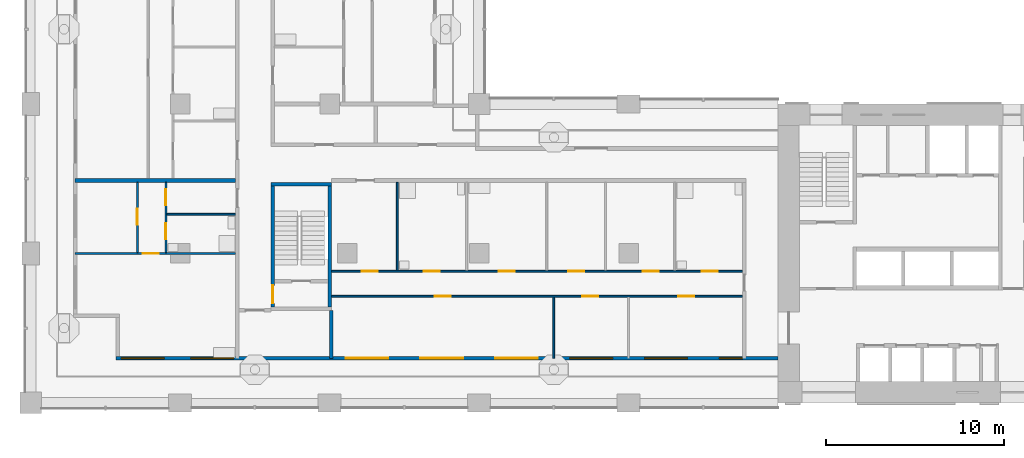
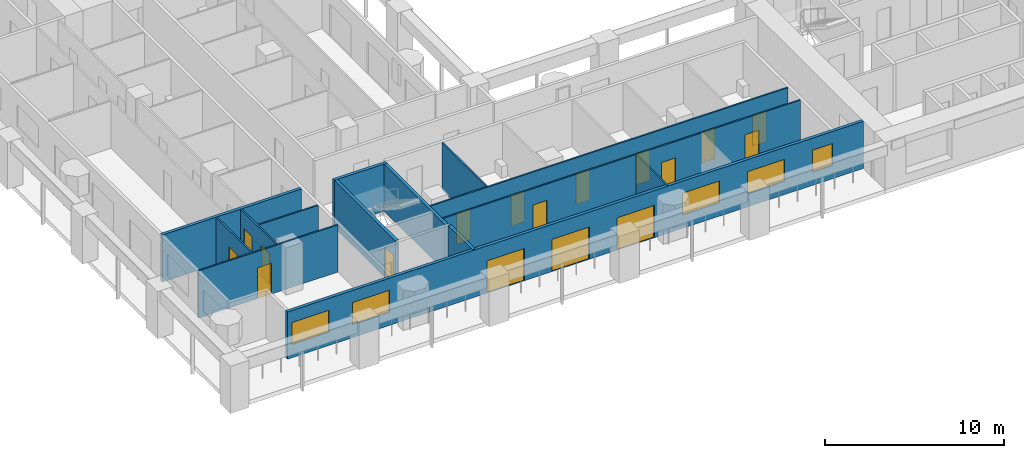
# One storey, part 2 of 18: 17 doors, 14 walls, 5 windows, 22 openings.
"""IFC4 building model written with IfcOpenShell, lengths in metres."""

from ifc_helpers import new_model, si_unit, direction, frame, frame_2d, origin, place, context, subcontext, project, spatial, rectangle, extrude, material, layer, layer_set, type_object, element, fill, save


model = new_model("IFC4")

# Units and contexts
model_context = context("Model", 3, precision=1e-05, world=origin(), true_north=direction((0.0, 1.0)))
body_context = subcontext(model_context, "Body", "Model", "MODEL_VIEW")
ifc_project = project(units=[si_unit("LENGTHUNIT", "METRE"), si_unit("AREAUNIT", "SQUARE_METRE"), si_unit("VOLUMEUNIT", "CUBIC_METRE"), si_unit("PLANEANGLEUNIT", "RADIAN"), si_unit("MASSUNIT", "GRAM", prefix="KILO")], contexts=[model_context])

# Site, building, storey
site_placement = place(None, origin())
site = spatial("IfcSite", under=ifc_project, at=site_placement, CompositionType="ELEMENT")
building_placement = place(site_placement, origin())
building = spatial("IfcBuilding", under=site, at=building_placement, Name="Vermilion Gate Residences", CompositionType="ELEMENT")
storey_placement = place(building_placement, frame((0.0, 0.0, 133.699951171875)))
storey = spatial("IfcBuildingStorey", under=building, at=storey_placement, Name="L34", CompositionType="ELEMENT", Elevation=133.699951171875)

# Wall, openings, doors, windows
ifc_material_1 = material(Name="Insulated steel stud wall with terracotta rainscreen", Category="masonry")
ifc_layer_1 = layer(ifc_material_1, 0.199951171875)
ifc_layer_set_1 = layer_set([ifc_layer_1], Name="EXTERNAL WALL 200 TERRACOTTA RAINSCREEN")
wall_type_1 = type_object("IfcWallType", Name="EXTERNAL WALL 200 TERRACOTTA RAINSCREEN", PredefinedType="SOLIDWALL", material=ifc_layer_set_1)
wall_1_placement = place(storey_placement, frame((4.800048828125, 10.89990234375, 0.0), z_axis=(0.0, 0.0, 1.0), x_axis=(1.0, 0.0, 0.0)))
wall_1 = element("IfcWall", 1, at=wall_1_placement, inside=storey, type_object=wall_type_1, Name="External wall", PredefinedType="SOLIDWALL", context=body_context, shape_type="SweptSolid", body=[
    extrude(rectangle(XDim=37.199951171875, YDim=0.199951171875, at=frame_2d((18.60009765625, 0.0))), origin(), (0.0, 0.0, 1.0), 3.219970703125),
])
opening_1_placement = place(wall_1_placement, frame((0.300048828125, 0.0, 0.89990234375)))
opening_1 = element("IfcOpeningElement", 2, at=opening_1_placement, cuts=wall_1, Name="Opening WE34012", PredefinedType="OPENING", context=body_context, shape_type="SweptSolid", body=[
    extrude(rectangle(XDim=2.39990234375, YDim=1.5, at=frame_2d((1.199951171875, 0.75))), frame((0.0, 0.10986328125, 0.0), z_axis=(0.0, -1.0, 0.0), x_axis=(1.0, 0.0, 0.0)), (0.0, 0.0, 1.0), 0.219970703125),
])
opening_2_placement = place(wall_1_placement, frame((4.199951171875, 0.0, 0.89990234375)))
opening_2 = element("IfcOpeningElement", 3, at=opening_2_placement, cuts=wall_1, Name="Opening WE34013", PredefinedType="OPENING", context=body_context, shape_type="SweptSolid", body=[
    extrude(rectangle(XDim=2.39990234375, YDim=1.5, at=frame_2d((1.199951171875, 0.75))), frame((0.0, 0.10986328125, 0.0), z_axis=(0.0, -1.0, 0.0), x_axis=(1.0, 0.0, 0.0)), (0.0, 0.0, 1.0), 0.219970703125),
])
opening_3_placement = place(wall_1_placement, frame((12.89990234375, 0.0, 0.0)))
opening_3 = element("IfcOpeningElement", 4, at=opening_3_placement, cuts=wall_1, Name="Opening DE34014", PredefinedType="OPENING", context=body_context, shape_type="SweptSolid", body=[
    extrude(rectangle(XDim=2.39990234375, YDim=2.199951171875, at=frame_2d((1.199951171875, 1.10009765625))), frame((0.0, 0.10986328125, 0.0), z_axis=(0.0, -1.0, 0.0), x_axis=(1.0, 0.0, 0.0)), (0.0, 0.0, 1.0), 0.219970703125),
])
opening_4_placement = place(wall_1_placement, frame((17.10009765625, 0.0, 0.0)))
opening_4 = element("IfcOpeningElement", 5, at=opening_4_placement, cuts=wall_1, Name="Opening DE34015", PredefinedType="OPENING", context=body_context, shape_type="SweptSolid", body=[
    extrude(rectangle(XDim=2.39990234375, YDim=2.199951171875, at=frame_2d((1.199951171875, 1.10009765625))), frame((0.0, 0.10986328125, 0.0), z_axis=(0.0, -1.0, 0.0), x_axis=(1.0, 0.0, 0.0)), (0.0, 0.0, 1.0), 0.219970703125),
])
opening_5_placement = place(wall_1_placement, frame((21.300048828125, 0.0, 0.0)))
opening_5 = element("IfcOpeningElement", 6, at=opening_5_placement, cuts=wall_1, Name="Opening DE34016", PredefinedType="OPENING", context=body_context, shape_type="SweptSolid", body=[
    extrude(rectangle(XDim=2.39990234375, YDim=2.199951171875, at=frame_2d((1.199951171875, 1.10009765625))), frame((0.0, 0.10986328125, 0.0), z_axis=(0.0, -1.0, 0.0), x_axis=(1.0, 0.0, 0.0)), (0.0, 0.0, 1.0), 0.219970703125),
])
opening_6_placement = place(wall_1_placement, frame((25.5, 0.0, 0.89990234375)))
opening_6 = element("IfcOpeningElement", 7, at=opening_6_placement, cuts=wall_1, Name="Opening WE34017", PredefinedType="OPENING", context=body_context, shape_type="SweptSolid", body=[
    extrude(rectangle(XDim=2.39990234375, YDim=1.5, at=frame_2d((1.199951171875, 0.75))), frame((0.0, 0.10986328125, 0.0), z_axis=(0.0, -1.0, 0.0), x_axis=(1.0, 0.0, 0.0)), (0.0, 0.0, 1.0), 0.219970703125),
])
opening_7_placement = place(wall_1_placement, frame((29.699951171875, 0.0, 0.89990234375)))
opening_7 = element("IfcOpeningElement", 8, at=opening_7_placement, cuts=wall_1, Name="Opening WE34018", PredefinedType="OPENING", context=body_context, shape_type="SweptSolid", body=[
    extrude(rectangle(XDim=2.39990234375, YDim=1.5, at=frame_2d((1.199951171875, 0.75))), frame((0.0, 0.10986328125, 0.0), z_axis=(0.0, -1.0, 0.0), x_axis=(1.0, 0.0, 0.0)), (0.0, 0.0, 1.0), 0.219970703125),
])
opening_8_placement = place(wall_1_placement, frame((33.89990234375, 0.0, 0.89990234375)))
opening_8 = element("IfcOpeningElement", 9, at=opening_8_placement, cuts=wall_1, Name="Opening WE34019", PredefinedType="OPENING", context=body_context, shape_type="SweptSolid", body=[
    extrude(rectangle(XDim=1.300048828125, YDim=1.5, at=frame_2d((0.64990234375, 0.75))), frame((0.0, 0.10986328125, 0.0), z_axis=(0.0, -1.0, 0.0), x_axis=(1.0, 0.0, 0.0)), (0.0, 0.0, 1.0), 0.219970703125),
])
ifc_material_2 = material(Name="Aluminium and clear glass", Category="aluminium")
door_type_1 = type_object("IfcDoorType", Name="SLIDING GLAZED DOOR 2400 X 2200", OperationType="DOUBLE_DOOR_SLIDING", PredefinedType="DOOR", material=ifc_material_2)
door_1_placement = place(opening_3_placement, origin())
door_1 = element("IfcDoor", 10, at=door_1_placement, inside=storey, type_object=door_type_1, Name="Loggia sliding door", OperationType="DOUBLE_DOOR_SLIDING", OverallHeight=2.199951171875, OverallWidth=2.39990234375, PredefinedType="DOOR", context=body_context, shape_type="SweptSolid", body=[
    extrude(rectangle(XDim=2.39990234375, YDim=2.199951171875, at=frame_2d((1.199951171875, 1.10009765625))), frame((0.0, 0.02490234375, 0.0), z_axis=(0.0, -1.0, 0.0), x_axis=(1.0, 0.0, 0.0)), (0.0, 0.0, 1.0), 0.050048828125),
])
fill(opening_3, door_1)
door_2_placement = place(opening_4_placement, origin())
door_2 = element("IfcDoor", 11, at=door_2_placement, inside=storey, type_object=door_type_1, Name="Loggia sliding door", OperationType="DOUBLE_DOOR_SLIDING", OverallHeight=2.199951171875, OverallWidth=2.39990234375, PredefinedType="DOOR", context=body_context, shape_type="SweptSolid", body=[
    extrude(rectangle(XDim=2.39990234375, YDim=2.199951171875, at=frame_2d((1.199951171875, 1.10009765625))), frame((0.0, 0.02490234375, 0.0), z_axis=(0.0, -1.0, 0.0), x_axis=(1.0, 0.0, 0.0)), (0.0, 0.0, 1.0), 0.050048828125),
])
fill(opening_4, door_2)
door_3_placement = place(opening_5_placement, origin())
door_3 = element("IfcDoor", 12, at=door_3_placement, inside=storey, type_object=door_type_1, Name="Loggia sliding door", OperationType="DOUBLE_DOOR_SLIDING", OverallHeight=2.199951171875, OverallWidth=2.39990234375, PredefinedType="DOOR", context=body_context, shape_type="SweptSolid", body=[
    extrude(rectangle(XDim=2.39990234375, YDim=2.199951171875, at=frame_2d((1.199951171875, 1.10009765625))), frame((0.0, 0.02490234375, 0.0), z_axis=(0.0, -1.0, 0.0), x_axis=(1.0, 0.0, 0.0)), (0.0, 0.0, 1.0), 0.050048828125),
])
fill(opening_5, door_3)
ifc_material_3 = material(Name="Aluminium and clear glass", Category="aluminium")
window_type_1 = type_object("IfcWindowType", Name="WINDOW 1300 X 1500", PartitioningType="SINGLE_PANEL", PredefinedType="WINDOW", material=ifc_material_3)
window_1_placement = place(opening_8_placement, origin())
window_1 = element("IfcWindow", 13, at=window_1_placement, inside=storey, type_object=window_type_1, Name="Window", OverallHeight=1.5, OverallWidth=1.300048828125, PartitioningType="SINGLE_PANEL", PredefinedType="WINDOW", context=body_context, shape_type="SweptSolid", body=[
    extrude(rectangle(XDim=1.300048828125, YDim=1.5, at=frame_2d((0.64990234375, 0.75))), frame((0.0, 0.030029296875, 0.0), z_axis=(0.0, -1.0, 0.0), x_axis=(1.0, 0.0, 0.0)), (0.0, 0.0, 1.0), 0.06005859375),
])
fill(opening_8, window_1)
ifc_material_4 = material(Name="Aluminium and clear glass", Category="aluminium")
window_type_2 = type_object("IfcWindowType", Name="WINDOW 2400 X 1500", PartitioningType="SINGLE_PANEL", PredefinedType="WINDOW", material=ifc_material_4)
window_2_placement = place(opening_1_placement, origin())
window_2 = element("IfcWindow", 14, at=window_2_placement, inside=storey, type_object=window_type_2, Name="Window", OverallHeight=1.5, OverallWidth=2.39990234375, PartitioningType="SINGLE_PANEL", PredefinedType="WINDOW", context=body_context, shape_type="SweptSolid", body=[
    extrude(rectangle(XDim=2.39990234375, YDim=1.5, at=frame_2d((1.199951171875, 0.75))), frame((0.0, 0.030029296875, 0.0), z_axis=(0.0, -1.0, 0.0), x_axis=(1.0, 0.0, 0.0)), (0.0, 0.0, 1.0), 0.06005859375),
])
fill(opening_1, window_2)
window_3_placement = place(opening_2_placement, origin())
window_3 = element("IfcWindow", 15, at=window_3_placement, inside=storey, type_object=window_type_2, Name="Window", OverallHeight=1.5, OverallWidth=2.39990234375, PartitioningType="SINGLE_PANEL", PredefinedType="WINDOW", context=body_context, shape_type="SweptSolid", body=[
    extrude(rectangle(XDim=2.39990234375, YDim=1.5, at=frame_2d((1.199951171875, 0.75))), frame((0.0, 0.030029296875, 0.0), z_axis=(0.0, -1.0, 0.0), x_axis=(1.0, 0.0, 0.0)), (0.0, 0.0, 1.0), 0.06005859375),
])
fill(opening_2, window_3)
window_4_placement = place(opening_6_placement, origin())
window_4 = element("IfcWindow", 16, at=window_4_placement, inside=storey, type_object=window_type_2, Name="Window", OverallHeight=1.5, OverallWidth=2.39990234375, PartitioningType="SINGLE_PANEL", PredefinedType="WINDOW", context=body_context, shape_type="SweptSolid", body=[
    extrude(rectangle(XDim=2.39990234375, YDim=1.5, at=frame_2d((1.199951171875, 0.75))), frame((0.0, 0.030029296875, 0.0), z_axis=(0.0, -1.0, 0.0), x_axis=(1.0, 0.0, 0.0)), (0.0, 0.0, 1.0), 0.06005859375),
])
fill(opening_6, window_4)
window_5_placement = place(opening_7_placement, origin())
window_5 = element("IfcWindow", 17, at=window_5_placement, inside=storey, type_object=window_type_2, Name="Window", OverallHeight=1.5, OverallWidth=2.39990234375, PartitioningType="SINGLE_PANEL", PredefinedType="WINDOW", context=body_context, shape_type="SweptSolid", body=[
    extrude(rectangle(XDim=2.39990234375, YDim=1.5, at=frame_2d((1.199951171875, 0.75))), frame((0.0, 0.030029296875, 0.0), z_axis=(0.0, -1.0, 0.0), x_axis=(1.0, 0.0, 0.0)), (0.0, 0.0, 1.0), 0.06005859375),
])
fill(opening_7, window_5)

# Wall, openings, doors
ifc_material_5 = material(Name="Plasterboard on steel studs", Category="steel")
ifc_layer_2 = layer(ifc_material_5, 0.10009765625)
ifc_layer_set_2 = layer_set([ifc_layer_2], Name="PARTITION 100")
wall_type_2 = type_object("IfcWallType", Name="PARTITION 100", PredefinedType="PARTITIONING", material=ifc_layer_set_2)
wall_2_placement = place(storey_placement, frame((16.89990234375, 14.39990234375, 0.0), z_axis=(0.0, 0.0, 1.0), x_axis=(1.0, 0.0, 0.0)))
wall_2 = element("IfcWall", 18, at=wall_2_placement, inside=storey, type_object=wall_type_2, Name="Partition", PredefinedType="PARTITIONING", context=body_context, shape_type="SweptSolid", body=[
    extrude(rectangle(XDim=23.10009765625, YDim=0.10009765625, at=frame_2d((11.550048828125, 0.0))), origin(), (0.0, 0.0, 1.0), 3.219970703125),
])
opening_9_placement = place(wall_2_placement, frame((5.800048828125, 0.0, 0.0)))
opening_9 = element("IfcOpeningElement", 19, at=opening_9_placement, cuts=wall_2, Name="Opening DA34002", PredefinedType="OPENING", context=body_context, shape_type="SweptSolid", body=[
    extrude(rectangle(XDim=0.89990234375, YDim=2.10009765625, at=frame_2d((0.449951171875, 1.050048828125))), frame((0.0, 0.06005859375, 0.0), z_axis=(0.0, -1.0, 0.0), x_axis=(1.0, 0.0, 0.0)), (0.0, 0.0, 1.0), 0.1201171875),
])
opening_10_placement = place(wall_2_placement, frame((14.10009765625, 0.0, 0.0)))
opening_10 = element("IfcOpeningElement", 20, at=opening_10_placement, cuts=wall_2, Name="Opening DA34003", PredefinedType="OPENING", context=body_context, shape_type="SweptSolid", body=[
    extrude(rectangle(XDim=0.89990234375, YDim=2.10009765625, at=frame_2d((0.449951171875, 1.050048828125))), frame((0.0, 0.06005859375, 0.0), z_axis=(0.0, -1.0, 0.0), x_axis=(1.0, 0.0, 0.0)), (0.0, 0.0, 1.0), 0.1201171875),
])
opening_11_placement = place(wall_2_placement, frame((19.5, 0.0, 0.0)))
opening_11 = element("IfcOpeningElement", 21, at=opening_11_placement, cuts=wall_2, Name="Opening DA34004", PredefinedType="OPENING", context=body_context, shape_type="SweptSolid", body=[
    extrude(rectangle(XDim=0.89990234375, YDim=2.10009765625, at=frame_2d((0.449951171875, 1.050048828125))), frame((0.0, 0.06005859375, 0.0), z_axis=(0.0, -1.0, 0.0), x_axis=(1.0, 0.0, 0.0)), (0.0, 0.0, 1.0), 0.1201171875),
])
ifc_material_6 = material(Name="Timber", Category="wood")
door_type_2 = type_object("IfcDoorType", Name="INTERIOR DOOR 900 X 2100", OperationType="SINGLE_SWING_LEFT", PredefinedType="DOOR", material=ifc_material_6)
door_4_placement = place(opening_9_placement, frame((0.89990234375, 0.0, 0.0), z_axis=(0.0, 0.0, 1.0), x_axis=(-1.0, 0.0, 0.0)))
door_4 = element("IfcDoor", 22, at=door_4_placement, inside=storey, type_object=door_type_2, Name="Interior door", OperationType="SINGLE_SWING_RIGHT", OverallHeight=2.10009765625, OverallWidth=0.89990234375, PredefinedType="DOOR", context=body_context, shape_type="SweptSolid", body=[
    extrude(rectangle(XDim=0.89990234375, YDim=2.10009765625, at=frame_2d((0.449951171875, 1.050048828125))), frame((0.0, 0.02490234375, 0.0), z_axis=(0.0, -1.0, 0.0), x_axis=(1.0, 0.0, 0.0)), (0.0, 0.0, 1.0), 0.050048828125),
])
fill(opening_9, door_4)
door_5_placement = place(opening_10_placement, frame((0.89990234375, 0.0, 0.0), z_axis=(0.0, 0.0, 1.0), x_axis=(-1.0, 0.0, 0.0)))
door_5 = element("IfcDoor", 23, at=door_5_placement, inside=storey, type_object=door_type_2, Name="Interior door", OperationType="SINGLE_SWING_RIGHT", OverallHeight=2.10009765625, OverallWidth=0.89990234375, PredefinedType="DOOR", context=body_context, shape_type="SweptSolid", body=[
    extrude(rectangle(XDim=0.89990234375, YDim=2.10009765625, at=frame_2d((0.449951171875, 1.050048828125))), frame((0.0, 0.02490234375, 0.0), z_axis=(0.0, -1.0, 0.0), x_axis=(1.0, 0.0, 0.0)), (0.0, 0.0, 1.0), 0.050048828125),
])
fill(opening_10, door_5)
door_6_placement = place(opening_11_placement, frame((0.89990234375, 0.0, 0.0), z_axis=(0.0, 0.0, 1.0), x_axis=(-1.0, 0.0, 0.0)))
door_6 = element("IfcDoor", 24, at=door_6_placement, inside=storey, type_object=door_type_2, Name="Interior door", OperationType="SINGLE_SWING_LEFT", OverallHeight=2.10009765625, OverallWidth=0.89990234375, PredefinedType="DOOR", context=body_context, shape_type="SweptSolid", body=[
    extrude(rectangle(XDim=0.89990234375, YDim=2.10009765625, at=frame_2d((0.449951171875, 1.050048828125))), frame((0.0, 0.02490234375, 0.0), z_axis=(0.0, -1.0, 0.0), x_axis=(1.0, 0.0, 0.0)), (0.0, 0.0, 1.0), 0.050048828125),
])
fill(opening_11, door_6)

wall_3_placement = place(storey_placement, frame((16.89990234375, 15.800048828125, 0.0), z_axis=(0.0, 0.0, 1.0), x_axis=(1.0, 0.0, 0.0)))
wall_3 = element("IfcWall", 25, at=wall_3_placement, inside=storey, type_object=wall_type_2, Name="Partition", PredefinedType="PARTITIONING", context=body_context, shape_type="SweptSolid", body=[
    extrude(rectangle(XDim=23.10009765625, YDim=0.10009765625, at=frame_2d((11.550048828125, 0.0))), origin(), (0.0, 0.0, 1.0), 3.219970703125),
])
opening_12_placement = place(wall_3_placement, frame((1.699951171875, 0.0, 0.0)))
opening_12 = element("IfcOpeningElement", 26, at=opening_12_placement, cuts=wall_3, Name="Opening DA34005", PredefinedType="OPENING", context=body_context, shape_type="SweptSolid", body=[
    extrude(rectangle(XDim=0.89990234375, YDim=2.10009765625, at=frame_2d((0.449951171875, 1.050048828125))), frame((0.0, 0.06005859375, 0.0), z_axis=(0.0, -1.0, 0.0), x_axis=(1.0, 0.0, 0.0)), (0.0, 0.0, 1.0), 0.1201171875),
])
opening_13_placement = place(wall_3_placement, frame((5.199951171875, 0.0, 0.0)))
opening_13 = element("IfcOpeningElement", 27, at=opening_13_placement, cuts=wall_3, Name="Opening DA34006", PredefinedType="OPENING", context=body_context, shape_type="SweptSolid", body=[
    extrude(rectangle(XDim=0.89990234375, YDim=2.10009765625, at=frame_2d((0.449951171875, 1.050048828125))), frame((0.0, 0.06005859375, 0.0), z_axis=(0.0, -1.0, 0.0), x_axis=(1.0, 0.0, 0.0)), (0.0, 0.0, 1.0), 0.1201171875),
])
opening_14_placement = place(wall_3_placement, frame((9.39990234375, 0.0, 0.0)))
opening_14 = element("IfcOpeningElement", 28, at=opening_14_placement, cuts=wall_3, Name="Opening DA34007", PredefinedType="OPENING", context=body_context, shape_type="SweptSolid", body=[
    extrude(rectangle(XDim=0.89990234375, YDim=2.10009765625, at=frame_2d((0.449951171875, 1.050048828125))), frame((0.0, 0.06005859375, 0.0), z_axis=(0.0, -1.0, 0.0), x_axis=(1.0, 0.0, 0.0)), (0.0, 0.0, 1.0), 0.1201171875),
])
opening_15_placement = place(wall_3_placement, frame((13.300048828125, 0.0, 0.0)))
opening_15 = element("IfcOpeningElement", 29, at=opening_15_placement, cuts=wall_3, Name="Opening DA34008", PredefinedType="OPENING", context=body_context, shape_type="SweptSolid", body=[
    extrude(rectangle(XDim=0.89990234375, YDim=2.10009765625, at=frame_2d((0.449951171875, 1.050048828125))), frame((0.0, 0.06005859375, 0.0), z_axis=(0.0, -1.0, 0.0), x_axis=(1.0, 0.0, 0.0)), (0.0, 0.0, 1.0), 0.1201171875),
])
opening_16_placement = place(wall_3_placement, frame((17.5, 0.0, 0.0)))
opening_16 = element("IfcOpeningElement", 30, at=opening_16_placement, cuts=wall_3, Name="Opening DA34009", PredefinedType="OPENING", context=body_context, shape_type="SweptSolid", body=[
    extrude(rectangle(XDim=0.89990234375, YDim=2.10009765625, at=frame_2d((0.449951171875, 1.050048828125))), frame((0.0, 0.06005859375, 0.0), z_axis=(0.0, -1.0, 0.0), x_axis=(1.0, 0.0, 0.0)), (0.0, 0.0, 1.0), 0.1201171875),
])
opening_17_placement = place(wall_3_placement, frame((20.800048828125, 0.0, 0.0)))
opening_17 = element("IfcOpeningElement", 31, at=opening_17_placement, cuts=wall_3, Name="Opening DA34010", PredefinedType="OPENING", context=body_context, shape_type="SweptSolid", body=[
    extrude(rectangle(XDim=0.89990234375, YDim=2.10009765625, at=frame_2d((0.449951171875, 1.050048828125))), frame((0.0, 0.06005859375, 0.0), z_axis=(0.0, -1.0, 0.0), x_axis=(1.0, 0.0, 0.0)), (0.0, 0.0, 1.0), 0.1201171875),
])
door_7_placement = place(opening_12_placement, origin())
door_7 = element("IfcDoor", 32, at=door_7_placement, inside=storey, type_object=door_type_2, Name="Interior door", OperationType="SINGLE_SWING_RIGHT", OverallHeight=2.10009765625, OverallWidth=0.89990234375, PredefinedType="DOOR", context=body_context, shape_type="SweptSolid", body=[
    extrude(rectangle(XDim=0.89990234375, YDim=2.10009765625, at=frame_2d((0.449951171875, 1.050048828125))), frame((0.0, 0.02490234375, 0.0), z_axis=(0.0, -1.0, 0.0), x_axis=(1.0, 0.0, 0.0)), (0.0, 0.0, 1.0), 0.050048828125),
])
fill(opening_12, door_7)
door_8_placement = place(opening_13_placement, origin())
door_8 = element("IfcDoor", 33, at=door_8_placement, inside=storey, type_object=door_type_2, Name="Interior door", OperationType="SINGLE_SWING_LEFT", OverallHeight=2.10009765625, OverallWidth=0.89990234375, PredefinedType="DOOR", context=body_context, shape_type="SweptSolid", body=[
    extrude(rectangle(XDim=0.89990234375, YDim=2.10009765625, at=frame_2d((0.449951171875, 1.050048828125))), frame((0.0, 0.02490234375, 0.0), z_axis=(0.0, -1.0, 0.0), x_axis=(1.0, 0.0, 0.0)), (0.0, 0.0, 1.0), 0.050048828125),
])
fill(opening_13, door_8)
door_9_placement = place(opening_14_placement, origin())
door_9 = element("IfcDoor", 34, at=door_9_placement, inside=storey, type_object=door_type_2, Name="Interior door", OperationType="SINGLE_SWING_LEFT", OverallHeight=2.10009765625, OverallWidth=0.89990234375, PredefinedType="DOOR", context=body_context, shape_type="SweptSolid", body=[
    extrude(rectangle(XDim=0.89990234375, YDim=2.10009765625, at=frame_2d((0.449951171875, 1.050048828125))), frame((0.0, 0.02490234375, 0.0), z_axis=(0.0, -1.0, 0.0), x_axis=(1.0, 0.0, 0.0)), (0.0, 0.0, 1.0), 0.050048828125),
])
fill(opening_14, door_9)
door_10_placement = place(opening_15_placement, origin())
door_10 = element("IfcDoor", 35, at=door_10_placement, inside=storey, type_object=door_type_2, Name="Interior door", OperationType="SINGLE_SWING_LEFT", OverallHeight=2.10009765625, OverallWidth=0.89990234375, PredefinedType="DOOR", context=body_context, shape_type="SweptSolid", body=[
    extrude(rectangle(XDim=0.89990234375, YDim=2.10009765625, at=frame_2d((0.449951171875, 1.050048828125))), frame((0.0, 0.02490234375, 0.0), z_axis=(0.0, -1.0, 0.0), x_axis=(1.0, 0.0, 0.0)), (0.0, 0.0, 1.0), 0.050048828125),
])
fill(opening_15, door_10)
door_11_placement = place(opening_16_placement, origin())
door_11 = element("IfcDoor", 36, at=door_11_placement, inside=storey, type_object=door_type_2, Name="Interior door", OperationType="SINGLE_SWING_RIGHT", OverallHeight=2.10009765625, OverallWidth=0.89990234375, PredefinedType="DOOR", context=body_context, shape_type="SweptSolid", body=[
    extrude(rectangle(XDim=0.89990234375, YDim=2.10009765625, at=frame_2d((0.449951171875, 1.050048828125))), frame((0.0, 0.02490234375, 0.0), z_axis=(0.0, -1.0, 0.0), x_axis=(1.0, 0.0, 0.0)), (0.0, 0.0, 1.0), 0.050048828125),
])
fill(opening_16, door_11)
door_12_placement = place(opening_17_placement, origin())
door_12 = element("IfcDoor", 37, at=door_12_placement, inside=storey, type_object=door_type_2, Name="Interior door", OperationType="SINGLE_SWING_LEFT", OverallHeight=2.10009765625, OverallWidth=0.89990234375, PredefinedType="DOOR", context=body_context, shape_type="SweptSolid", body=[
    extrude(rectangle(XDim=0.89990234375, YDim=2.10009765625, at=frame_2d((0.449951171875, 1.050048828125))), frame((0.0, 0.02490234375, 0.0), z_axis=(0.0, -1.0, 0.0), x_axis=(1.0, 0.0, 0.0)), (0.0, 0.0, 1.0), 0.050048828125),
])
fill(opening_17, door_12)

# Wall, opening, door
wall_4_placement = place(storey_placement, frame((2.5, 16.800048828125, 0.0), z_axis=(0.0, 0.0, 1.0), x_axis=(1.0, 0.0, 0.0)))
wall_4 = element("IfcWall", 38, at=wall_4_placement, inside=storey, type_object=wall_type_2, Name="Partition", PredefinedType="PARTITIONING", context=body_context, shape_type="SweptSolid", body=[
    extrude(rectangle(XDim=9.0, YDim=0.10009765625, at=frame_2d((4.5, 0.0))), origin(), (0.0, 0.0, 1.0), 3.219970703125),
])
opening_18_placement = place(wall_4_placement, frame((3.800048828125, 0.0, 0.0)))
opening_18 = element("IfcOpeningElement", 39, at=opening_18_placement, cuts=wall_4, Name="Opening DA34011", PredefinedType="OPENING", context=body_context, shape_type="SweptSolid", body=[
    extrude(rectangle(XDim=0.89990234375, YDim=2.10009765625, at=frame_2d((0.449951171875, 1.050048828125))), frame((0.0, 0.06005859375, 0.0), z_axis=(0.0, -1.0, 0.0), x_axis=(1.0, 0.0, 0.0)), (0.0, 0.0, 1.0), 0.1201171875),
])
door_13_placement = place(opening_18_placement, frame((0.89990234375, 0.0, 0.0), z_axis=(0.0, 0.0, 1.0), x_axis=(-1.0, 0.0, 0.0)))
door_13 = element("IfcDoor", 40, at=door_13_placement, inside=storey, type_object=door_type_2, Name="Interior door", OperationType="SINGLE_SWING_LEFT", OverallHeight=2.10009765625, OverallWidth=0.89990234375, PredefinedType="DOOR", context=body_context, shape_type="SweptSolid", body=[
    extrude(rectangle(XDim=0.89990234375, YDim=2.10009765625, at=frame_2d((0.449951171875, 1.050048828125))), frame((0.0, 0.02490234375, 0.0), z_axis=(0.0, -1.0, 0.0), x_axis=(1.0, 0.0, 0.0)), (0.0, 0.0, 1.0), 0.050048828125),
])
fill(opening_18, door_13)

# Wall
wall_5_placement = place(storey_placement, frame((7.64990234375, 19.0, 0.0), z_axis=(0.0, 0.0, 1.0), x_axis=(1.0, 0.0, 0.0)))
element("IfcWall", 41, at=wall_5_placement, inside=storey, type_object=wall_type_2, Name="Partition", PredefinedType="PARTITIONING", context=body_context, shape_type="SweptSolid", body=[
    extrude(rectangle(XDim=3.85009765625, YDim=0.10009765625, at=frame_2d((1.925048828125, 0.0))), origin(), (0.0, 0.0, 1.0), 3.219970703125),
])

# Wall, opening, door
wall_6_placement = place(storey_placement, frame((6.0, 16.85009765625, 0.0), z_axis=(0.0, 0.0, 1.0), x_axis=(0.0, 1.0, 0.0)))
wall_6 = element("IfcWall", 42, at=wall_6_placement, inside=storey, type_object=wall_type_2, Name="Partition", PredefinedType="PARTITIONING", context=body_context, shape_type="SweptSolid", body=[
    extrude(rectangle(XDim=3.949951171875, YDim=0.10009765625, at=frame_2d((1.97509765625, 0.0))), origin(), (0.0, 0.0, 1.0), 3.219970703125),
])
opening_19_placement = place(wall_6_placement, frame((1.550048828125, 0.0, 0.0)))
opening_19 = element("IfcOpeningElement", 43, at=opening_19_placement, cuts=wall_6, Name="Opening DA34015", PredefinedType="OPENING", context=body_context, shape_type="SweptSolid", body=[
    extrude(rectangle(XDim=0.89990234375, YDim=2.10009765625, at=frame_2d((0.449951171875, 1.050048828125))), frame((0.0, 0.06005859375, 0.0), z_axis=(0.0, -1.0, 0.0), x_axis=(1.0, 0.0, 0.0)), (0.0, 0.0, 1.0), 0.1201171875),
])
door_14_placement = place(opening_19_placement, origin())
door_14 = element("IfcDoor", 44, at=door_14_placement, inside=storey, type_object=door_type_2, Name="Interior door", OperationType="SINGLE_SWING_RIGHT", OverallHeight=2.10009765625, OverallWidth=0.89990234375, PredefinedType="DOOR", context=body_context, shape_type="SweptSolid", body=[
    extrude(rectangle(XDim=0.89990234375, YDim=2.10009765625, at=frame_2d((0.449951171875, 1.050048828125))), frame((0.0, 0.02490234375, 0.0), z_axis=(0.0, -1.0, 0.0), x_axis=(1.0, 0.0, 0.0)), (0.0, 0.0, 1.0), 0.050048828125),
])
fill(opening_19, door_14)

# Wall, openings, doors
wall_7_placement = place(storey_placement, frame((7.60009765625, 16.85009765625, 0.0), z_axis=(0.0, 0.0, 1.0), x_axis=(0.0, 1.0, 0.0)))
wall_7 = element("IfcWall", 45, at=wall_7_placement, inside=storey, type_object=wall_type_2, Name="Partition", PredefinedType="PARTITIONING", context=body_context, shape_type="SweptSolid", body=[
    extrude(rectangle(XDim=3.949951171875, YDim=0.10009765625, at=frame_2d((1.97509765625, 0.0))), origin(), (0.0, 0.0, 1.0), 3.219970703125),
])
opening_20_placement = place(wall_7_placement, frame((2.64990234375, 0.0, 0.0)))
opening_20 = element("IfcOpeningElement", 46, at=opening_20_placement, cuts=wall_7, Name="Opening DA34022", PredefinedType="OPENING", context=body_context, shape_type="SweptSolid", body=[
    extrude(rectangle(XDim=0.89990234375, YDim=2.10009765625, at=frame_2d((0.449951171875, 1.050048828125))), frame((0.0, 0.06005859375, 0.0), z_axis=(0.0, -1.0, 0.0), x_axis=(1.0, 0.0, 0.0)), (0.0, 0.0, 1.0), 0.1201171875),
])
opening_21_placement = place(wall_7_placement, frame((0.75, 0.0, 0.0)))
opening_21 = element("IfcOpeningElement", 47, at=opening_21_placement, cuts=wall_7, Name="Opening DA34023", PredefinedType="OPENING", context=body_context, shape_type="SweptSolid", body=[
    extrude(rectangle(XDim=0.89990234375, YDim=2.10009765625, at=frame_2d((0.449951171875, 1.050048828125))), frame((0.0, 0.06005859375, 0.0), z_axis=(0.0, -1.0, 0.0), x_axis=(1.0, 0.0, 0.0)), (0.0, 0.0, 1.0), 0.1201171875),
])
door_15_placement = place(opening_20_placement, origin())
door_15 = element("IfcDoor", 48, at=door_15_placement, inside=storey, type_object=door_type_2, Name="Interior door", OperationType="SINGLE_SWING_RIGHT", OverallHeight=2.10009765625, OverallWidth=0.89990234375, PredefinedType="DOOR", context=body_context, shape_type="SweptSolid", body=[
    extrude(rectangle(XDim=0.89990234375, YDim=2.10009765625, at=frame_2d((0.449951171875, 1.050048828125))), frame((0.0, 0.02490234375, 0.0), z_axis=(0.0, -1.0, 0.0), x_axis=(1.0, 0.0, 0.0)), (0.0, 0.0, 1.0), 0.050048828125),
])
fill(opening_20, door_15)
door_16_placement = place(opening_21_placement, frame((0.89990234375, 0.0, 0.0), z_axis=(0.0, 0.0, 1.0), x_axis=(-1.0, 0.0, 0.0)))
door_16 = element("IfcDoor", 49, at=door_16_placement, inside=storey, type_object=door_type_2, Name="Interior door", OperationType="SINGLE_SWING_RIGHT", OverallHeight=2.10009765625, OverallWidth=0.89990234375, PredefinedType="DOOR", context=body_context, shape_type="SweptSolid", body=[
    extrude(rectangle(XDim=0.89990234375, YDim=2.10009765625, at=frame_2d((0.449951171875, 1.050048828125))), frame((0.0, 0.02490234375, 0.0), z_axis=(0.0, -1.0, 0.0), x_axis=(1.0, 0.0, 0.0)), (0.0, 0.0, 1.0), 0.050048828125),
])
fill(opening_21, door_16)

# Walls
wall_8_placement = place(storey_placement, frame((20.60009765625, 15.85009765625, 0.0), z_axis=(0.0, 0.0, 1.0), x_axis=(0.0, 1.0, 0.0)))
element("IfcWall", 50, at=wall_8_placement, inside=storey, type_object=wall_type_2, Name="Partition", PredefinedType="PARTITIONING", context=body_context, shape_type="SweptSolid", body=[
    extrude(rectangle(XDim=4.949951171875, YDim=0.10009765625, at=frame_2d((2.47509765625, 0.0))), origin(), (0.0, 0.0, 1.0), 3.219970703125),
])
wall_9_placement = place(storey_placement, frame((29.39990234375, 10.89990234375, 0.0), z_axis=(0.0, 0.0, 1.0), x_axis=(0.0, 1.0, 0.0)))
element("IfcWall", 51, at=wall_9_placement, inside=storey, type_object=wall_type_2, Name="Partition", PredefinedType="PARTITIONING", context=body_context, shape_type="SweptSolid", body=[
    extrude(rectangle(XDim=3.4501953125, YDim=0.10009765625, at=frame_2d((1.72509765625, 0.0))), origin(), (0.0, 0.0, 1.0), 3.219970703125),
])
ifc_material_7 = material(Name="Fire-rated plasterboard on steel studs", Category="steel")
ifc_layer_3 = layer(ifc_material_7, 0.199951171875)
ifc_layer_set_3 = layer_set([ifc_layer_3], Name="PARTY WALL 200 EI 120")
wall_type_3 = type_object("IfcWallType", Name="PARTY WALL 200 EI 120", PredefinedType="PARTITIONING", material=ifc_layer_set_3)
wall_10_placement = place(storey_placement, frame((2.5, 20.89990234375, 0.0), z_axis=(0.0, 0.0, 1.0), x_axis=(1.0, 0.0, 0.0)))
element("IfcWall", 52, at=wall_10_placement, inside=storey, type_object=wall_type_3, Name="Party and corridor wall", PredefinedType="PARTITIONING", context=body_context, shape_type="SweptSolid", body=[
    extrude(rectangle(XDim=9.0, YDim=0.199951171875, at=frame_2d((4.5, 0.0))), origin(), (0.0, 0.0, 1.0), 3.219970703125),
])
wall_11_placement = place(storey_placement, frame((16.89990234375, 10.89990234375, 0.0), z_axis=(0.0, 0.0, 1.0), x_axis=(0.0, 1.0, 0.0)))
element("IfcWall", 53, at=wall_11_placement, inside=storey, type_object=wall_type_3, Name="Party and corridor wall", PredefinedType="PARTITIONING", context=body_context, shape_type="SweptSolid", body=[
    extrude(rectangle(XDim=2.7001953125, YDim=0.199951171875, at=frame_2d((1.35009765625, 0.0))), origin(), (0.0, 0.0, 1.0), 3.219970703125),
])

# Wall, opening, door
ifc_material_8 = material(Name="Concrete C60", Category="concrete")
ifc_layer_4 = layer(ifc_material_8, 0.199951171875)
ifc_layer_set_4 = layer_set([ifc_layer_4], Name="RC CORE INTERNAL WALL 200 C60")
wall_type_4 = type_object("IfcWallType", Name="RC CORE INTERNAL WALL 200 C60", PredefinedType="SHEAR", material=ifc_layer_set_4)
wall_12_placement = place(storey_placement, frame((13.60009765625, 13.800048828125, 0.0), z_axis=(0.0, 0.0, 1.0), x_axis=(0.0, 1.0, 0.0)))
wall_12 = element("IfcWall", 54, at=wall_12_placement, inside=storey, type_object=wall_type_4, Name="Core internal wall C34-W", PredefinedType="SHEAR", context=body_context, shape_type="SweptSolid", body=[
    extrude(rectangle(XDim=6.800048828125, YDim=0.199951171875, at=frame_2d((3.39990234375, 0.0))), origin(), (0.0, 0.0, 1.0), 3.219970703125),
])
opening_22_placement = place(wall_12_placement, frame((0.199951171875, 0.0, 0.0)))
opening_22 = element("IfcOpeningElement", 55, at=opening_22_placement, cuts=wall_12, Name="Opening DK34201", PredefinedType="OPENING", context=body_context, shape_type="SweptSolid", body=[
    extrude(rectangle(XDim=1.0, YDim=2.10009765625, at=frame_2d((0.5, 1.050048828125))), frame((0.0, 0.10986328125, 0.0), z_axis=(0.0, -1.0, 0.0), x_axis=(1.0, 0.0, 0.0)), (0.0, 0.0, 1.0), 0.219970703125),
])
ifc_material_9 = material(Name="Steel", Category="steel")
door_type_3 = type_object("IfcDoorType", Name="FIRE DOOR FD60 1000 X 2100", OperationType="SINGLE_SWING_LEFT", PredefinedType="DOOR", material=ifc_material_9)
door_17_placement = place(opening_22_placement, frame((1.0, 0.0, 0.0), z_axis=(0.0, 0.0, 1.0), x_axis=(-1.0, 0.0, 0.0)))
door_17 = element("IfcDoor", 56, at=door_17_placement, inside=storey, type_object=door_type_3, Name="Stair vestibule door C34", OperationType="SINGLE_SWING_LEFT", OverallHeight=2.10009765625, OverallWidth=1.0, PredefinedType="DOOR", context=body_context, shape_type="SweptSolid", body=[
    extrude(rectangle(XDim=1.0, YDim=2.10009765625, at=frame_2d((0.5, 1.050048828125))), frame((0.0, 0.02490234375, 0.0), z_axis=(0.0, -1.0, 0.0), x_axis=(1.0, 0.0, 0.0)), (0.0, 0.0, 1.0), 0.050048828125),
])
fill(opening_22, door_17)

# Walls
wall_13_placement = place(storey_placement, frame((16.800048828125, 13.800048828125, 0.0), z_axis=(0.0, 0.0, 1.0), x_axis=(0.0, 1.0, 0.0)))
element("IfcWall", 57, at=wall_13_placement, inside=storey, type_object=wall_type_4, Name="Core internal wall C34-E", PredefinedType="SHEAR", context=body_context, shape_type="SweptSolid", body=[
    extrude(rectangle(XDim=6.800048828125, YDim=0.199951171875, at=frame_2d((3.39990234375, 0.0))), origin(), (0.0, 0.0, 1.0), 3.219970703125),
])
wall_14_placement = place(storey_placement, frame((13.5, 20.699951171875, 0.0), z_axis=(0.0, 0.0, 1.0), x_axis=(1.0, 0.0, 0.0)))
element("IfcWall", 58, at=wall_14_placement, inside=storey, type_object=wall_type_4, Name="Core internal wall C34-N", PredefinedType="SHEAR", context=body_context, shape_type="SweptSolid", body=[
    extrude(rectangle(XDim=3.39990234375, YDim=0.199951171875, at=frame_2d((1.699951171875, 0.0))), origin(), (0.0, 0.0, 1.0), 3.219970703125),
])

save(model, "model.ifc")
